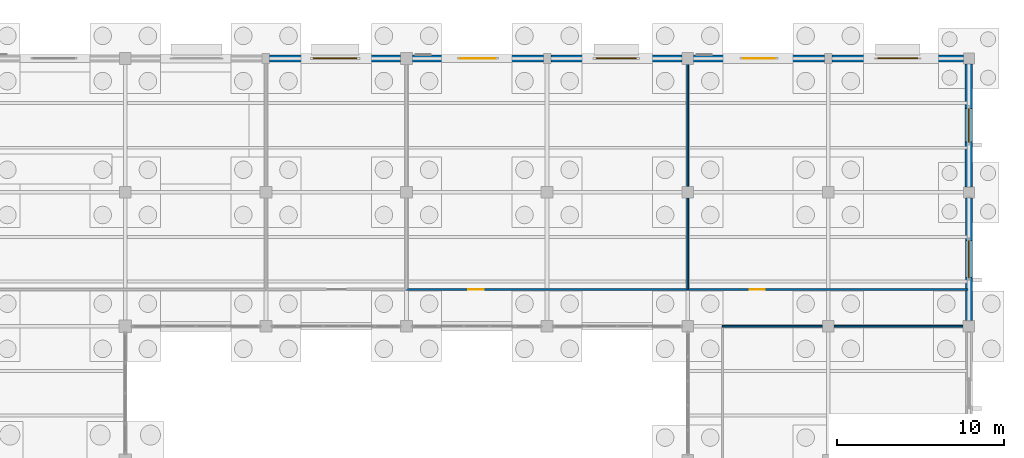
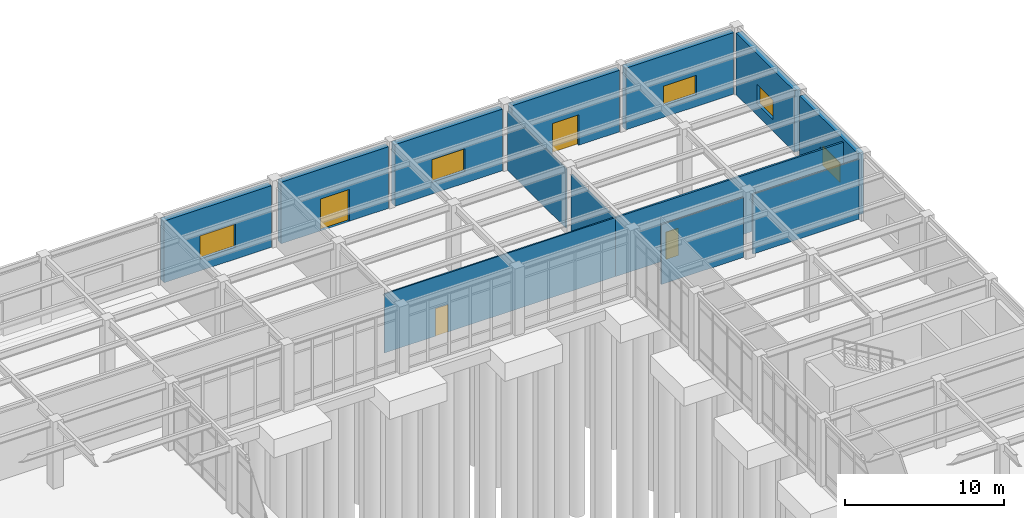
# One storey, part 86 of 138: 13 walls, 5 windows, 4 doors, 9 openings.
"""IFC4 building model written with IfcOpenShell, lengths in metres."""

from ifc_helpers import new_model, si_unit, direction, frame, frame_2d, origin, place, context, subcontext, project, spatial, rectangle, extrude, material, layer, layer_set, type_object, element, fill, save


model = new_model("IFC4")

# Units and contexts
model_context = context("Model", 3, precision=1e-05, world=origin(), true_north=direction((0.0, 1.0)))
body_context = subcontext(model_context, "Body", "Model", "MODEL_VIEW")
ifc_project = project(units=[si_unit("LENGTHUNIT", "METRE"), si_unit("AREAUNIT", "SQUARE_METRE"), si_unit("VOLUMEUNIT", "CUBIC_METRE"), si_unit("PLANEANGLEUNIT", "RADIAN"), si_unit("MASSUNIT", "GRAM", prefix="KILO")], contexts=[model_context])

# Site, building, storey
site_placement = place(None, origin())
site = spatial("IfcSite", under=ifc_project, at=site_placement, CompositionType="ELEMENT")
building_placement = place(site_placement, origin())
building = spatial("IfcBuilding", under=site, at=building_placement, Name="Kranzveld Transit Interchange", CompositionType="ELEMENT")
storey_placement = place(building_placement, origin())
storey = spatial("IfcBuildingStorey", under=building, at=storey_placement, Name="L00", CompositionType="ELEMENT", Elevation=0.0)

# Wall, opening, door
ifc_material_1 = material(Name="Dark Pretoria clinker clay plinth brick, 40 MPa", Category="masonry")
ifc_layer_1 = layer(ifc_material_1, 0.409912109375)
ifc_layer_set_1 = layer_set([ifc_layer_1], Name="Dark Pretoria clinker clay plinth brick, 40 MPa")
wall_type_1 = type_object("IfcWallType", Name="Exterior Arcade Wall Dark Clinker 410", PredefinedType="SOLIDWALL", material=ifc_layer_set_1)
wall_1_placement = place(storey_placement, frame((134.75, 112.0, 0.0), z_axis=(0.0, 0.0, 1.0), x_axis=(1.0, 0.0, 0.0)))
wall_1 = element("IfcWall", 1, at=wall_1_placement, inside=storey, type_object=wall_type_1, Name="L00 Clinker Facade Wall 17/Q-18/Q", PredefinedType="SOLIDWALL", context=body_context, shape_type="SweptSolid", body=[
    extrude(rectangle(XDim=7.824951171875, YDim=0.409912109375, at=frame_2d((3.91259765625, 0.0))), origin(), (0.0, 0.0, 1.0), 4.740478515625),
])
opening_1_placement = place(wall_1_placement, frame((2.862548828125, 0.0, 0.0), z_axis=(0.0, 0.0, 1.0), x_axis=(1.0, 0.0, 0.0)))
opening_1 = element("IfcOpeningElement", 2, at=opening_1_placement, cuts=wall_1, Name="Opening ED-00-08", PredefinedType="OPENING", context=body_context, shape_type="SweptSolid", body=[
    extrude(rectangle(XDim=2.10009765625, YDim=2.449951171875, at=frame_2d((1.050048828125, 1.22509765625))), frame((0.0, 0.21484375, 0.0), z_axis=(0.0, -1.0, 0.0), x_axis=(1.0, 0.0, 0.0)), (0.0, 0.0, 1.0), 0.429931640625),
])
ifc_material_2 = material(Name="Bronze-anodised thermally broken aluminium", Category="aluminium")
door_type_1 = type_object("IfcDoorType", Name="Forecourt Double Entrance Door 2100x2450", OperationType="NOTDEFINED", PredefinedType="DOOR", material=ifc_material_2)
door_1_placement = place(opening_1_placement, origin())
door_1 = element("IfcDoor", 3, at=door_1_placement, inside=storey, type_object=door_type_1, Name="L00 Entrance/Exit Door 17/Q", OperationType="DOUBLE_DOOR_SINGLE_SWING", OverallHeight=2.449951171875, OverallWidth=2.10009765625, PredefinedType="DOOR", context=body_context, shape_type="SweptSolid", body=[
    extrude(rectangle(XDim=2.10009765625, YDim=2.449951171875, at=frame_2d((1.050048828125, 1.22509765625))), frame((0.0, 0.02490234375, 0.0), z_axis=(0.0, -1.0, 0.0), x_axis=(1.0, 0.0, 0.0)), (0.0, 0.0, 1.0), 0.050048828125),
])
fill(opening_1, door_1)

wall_2_placement = place(storey_placement, frame((151.550048828125, 112.0, 0.0), z_axis=(0.0, 0.0, 1.0), x_axis=(1.0, 0.0, 0.0)))
wall_2 = element("IfcWall", 4, at=wall_2_placement, inside=storey, type_object=wall_type_1, Name="L00 Clinker Facade Wall 19/Q-20/Q", PredefinedType="SOLIDWALL", context=body_context, shape_type="SweptSolid", body=[
    extrude(rectangle(XDim=7.824951171875, YDim=0.409912109375, at=frame_2d((3.91259765625, 0.0))), origin(), (0.0, 0.0, 1.0), 4.740478515625),
])
opening_2_placement = place(wall_2_placement, frame((2.96240234375, 0.0, 0.0), z_axis=(0.0, 0.0, 1.0), x_axis=(1.0, 0.0, 0.0)))
opening_2 = element("IfcOpeningElement", 5, at=opening_2_placement, cuts=wall_2, Name="Opening ED-00-09", PredefinedType="OPENING", context=body_context, shape_type="SweptSolid", body=[
    extrude(rectangle(XDim=1.89990234375, YDim=2.35009765625, at=frame_2d((0.949951171875, 1.175048828125))), frame((0.0, 0.21484375, 0.0), z_axis=(0.0, -1.0, 0.0), x_axis=(1.0, 0.0, 0.0)), (0.0, 0.0, 1.0), 0.429931640625),
])
ifc_material_3 = material(Name="Bronze-anodised thermally broken aluminium", Category="aluminium")
door_type_2 = type_object("IfcDoorType", Name="Court Arcade Double Door 1900x2350", OperationType="NOTDEFINED", PredefinedType="DOOR", material=ifc_material_3)
door_2_placement = place(opening_2_placement, origin())
door_2 = element("IfcDoor", 6, at=door_2_placement, inside=storey, type_object=door_type_2, Name="L00 Entrance/Exit Door 19/Q", OperationType="DOUBLE_DOOR_SINGLE_SWING", OverallHeight=2.35009765625, OverallWidth=1.89990234375, PredefinedType="DOOR", context=body_context, shape_type="SweptSolid", body=[
    extrude(rectangle(XDim=1.89990234375, YDim=2.35009765625, at=frame_2d((0.949951171875, 1.175048828125))), frame((0.0, 0.02490234375, 0.0), z_axis=(0.0, -1.0, 0.0), x_axis=(1.0, 0.0, 0.0)), (0.0, 0.0, 1.0), 0.050048828125),
])
fill(opening_2, door_2)

# Wall, opening, window
wall_3_placement = place(storey_placement, frame((168.0, 96.35009765625, 0.0), z_axis=(0.0, 0.0, 1.0), x_axis=(0.0, 1.0, 0.0)))
wall_3 = element("IfcWall", 7, at=wall_3_placement, inside=storey, type_object=wall_type_1, Name="L00 Clinker Facade Wall 21/N-21/P", PredefinedType="SOLIDWALL", context=body_context, shape_type="SweptSolid", body=[
    extrude(rectangle(XDim=7.324951171875, YDim=0.409912109375, at=frame_2d((3.66259765625, 0.0))), origin(), (0.0, 0.0, 1.0), 4.747314453125),
])
opening_3_placement = place(wall_3_placement, frame((2.5625, 0.0, 0.89990234375), z_axis=(0.0, 0.0, 1.0), x_axis=(1.0, 0.0, 0.0)))
opening_3 = element("IfcOpeningElement", 8, at=opening_3_placement, cuts=wall_3, Name="Opening W-09", PredefinedType="OPENING", context=body_context, shape_type="SweptSolid", body=[
    extrude(rectangle(XDim=2.199951171875, YDim=1.5, at=frame_2d((1.10009765625, 0.75))), frame((0.0, 0.21484375, 0.0), z_axis=(0.0, -1.0, 0.0), x_axis=(1.0, 0.0, 0.0)), (0.0, 0.0, 1.0), 0.429931640625),
])
ifc_material_4 = material(Name="Solar-control double glazing", Category="glass")
window_type_1 = type_object("IfcWindowType", Name="Window Office Double 2200x1500", PartitioningType="DOUBLE_PANEL_VERTICAL", PredefinedType="WINDOW", material=ifc_material_4)
window_1_placement = place(opening_3_placement, origin())
window_1 = element("IfcWindow", 9, at=window_1_placement, inside=storey, type_object=window_type_1, Name="L00 Facade Window 21/N", OverallHeight=1.5, OverallWidth=2.199951171875, PartitioningType="DOUBLE_PANEL_VERTICAL", PredefinedType="WINDOW", context=body_context, shape_type="SweptSolid", body=[
    extrude(rectangle(XDim=2.199951171875, YDim=1.5, at=frame_2d((1.10009765625, 0.75))), frame((0.0, 0.030029296875, 0.0), z_axis=(0.0, -1.0, 0.0), x_axis=(1.0, 0.0, 0.0)), (0.0, 0.0, 1.0), 0.06005859375),
])
fill(opening_3, window_1)

ifc_material_5 = material(Name="Dark Pretoria clinker clay plinth brick, 40 MPa", Category="masonry")
ifc_layer_2 = layer(ifc_material_5, 0.43994140625)
ifc_layer_set_2 = layer_set([ifc_layer_2], Name="Dark Pretoria clinker clay plinth brick, 40 MPa")
wall_type_2 = type_object("IfcWallType", Name="Exterior Plinth Wall Dark Clinker 440", PredefinedType="SOLIDWALL", material=ifc_layer_set_2)
wall_4_placement = place(storey_placement, frame((126.22509765625, 112.0, 0.0), z_axis=(0.0, 0.0, 1.0), x_axis=(1.0, 0.0, 0.0)))
wall_4 = element("IfcWall", 10, at=wall_4_placement, inside=storey, type_object=wall_type_2, Name="L00 Clinker Facade Wall 16/Q-17/Q", PredefinedType="SOLIDWALL", context=body_context, shape_type="SweptSolid", body=[
    extrude(rectangle(XDim=7.824951171875, YDim=0.43994140625, at=frame_2d((3.91259765625, 0.0))), origin(), (0.0, 0.0, 1.0), 4.740478515625),
])
opening_4_placement = place(wall_4_placement, frame((2.612548828125, 0.0, 0.89990234375), z_axis=(0.0, 0.0, 1.0), x_axis=(1.0, 0.0, 0.0)))
opening_4 = element("IfcOpeningElement", 11, at=opening_4_placement, cuts=wall_4, Name="Opening W-06", PredefinedType="OPENING", context=body_context, shape_type="SweptSolid", body=[
    extrude(rectangle(XDim=2.60009765625, YDim=1.800048828125, at=frame_2d((1.300048828125, 0.89990234375))), frame((0.0, 0.22998046875, 0.0), z_axis=(0.0, -1.0, 0.0), x_axis=(1.0, 0.0, 0.0)), (0.0, 0.0, 1.0), 0.4599609375),
])
ifc_material_6 = material(Name="Solar-control double glazing", Category="glass")
window_type_2 = type_object("IfcWindowType", Name="Window Civic Double 2600x1800", PartitioningType="DOUBLE_PANEL_VERTICAL", PredefinedType="WINDOW", material=ifc_material_6)
window_2_placement = place(opening_4_placement, origin())
window_2 = element("IfcWindow", 12, at=window_2_placement, inside=storey, type_object=window_type_2, Name="L00 Facade Window 16/Q", OverallHeight=1.800048828125, OverallWidth=2.60009765625, PartitioningType="DOUBLE_PANEL_VERTICAL", PredefinedType="WINDOW", context=body_context, shape_type="SweptSolid", body=[
    extrude(rectangle(XDim=2.60009765625, YDim=1.800048828125, at=frame_2d((1.300048828125, 0.89990234375))), frame((0.0, 0.030029296875, 0.0), z_axis=(0.0, -1.0, 0.0), x_axis=(1.0, 0.0, 0.0)), (0.0, 0.0, 1.0), 0.06005859375),
])
fill(opening_4, window_2)

wall_5_placement = place(storey_placement, frame((143.02490234375, 112.0, 0.0), z_axis=(0.0, 0.0, 1.0), x_axis=(1.0, 0.0, 0.0)))
wall_5 = element("IfcWall", 13, at=wall_5_placement, inside=storey, type_object=wall_type_2, Name="L00 Clinker Facade Wall 18/Q-19/Q", PredefinedType="SOLIDWALL", context=body_context, shape_type="SweptSolid", body=[
    extrude(rectangle(XDim=7.8251953125, YDim=0.43994140625, at=frame_2d((3.91259765625, 0.0))), origin(), (0.0, 0.0, 1.0), 4.740478515625),
])
opening_5_placement = place(wall_5_placement, frame((2.71240234375, 0.0, 0.89990234375), z_axis=(0.0, 0.0, 1.0), x_axis=(1.0, 0.0, 0.0)))
opening_5 = element("IfcOpeningElement", 14, at=opening_5_placement, cuts=wall_5, Name="Opening W-07", PredefinedType="OPENING", context=body_context, shape_type="SweptSolid", body=[
    extrude(rectangle(XDim=2.39990234375, YDim=1.75, at=frame_2d((1.199951171875, 0.875))), frame((0.0, 0.22998046875, 0.0), z_axis=(0.0, -1.0, 0.0), x_axis=(1.0, 0.0, 0.0)), (0.0, 0.0, 1.0), 0.4599609375),
])
ifc_material_7 = material(Name="Solar-control double glazing", Category="glass")
window_type_3 = type_object("IfcWindowType", Name="Window Civic Double 2400x1750", PartitioningType="DOUBLE_PANEL_VERTICAL", PredefinedType="WINDOW", material=ifc_material_7)
window_3_placement = place(opening_5_placement, origin())
window_3 = element("IfcWindow", 15, at=window_3_placement, inside=storey, type_object=window_type_3, Name="L00 Facade Window 18/Q", OverallHeight=1.75, OverallWidth=2.39990234375, PartitioningType="DOUBLE_PANEL_VERTICAL", PredefinedType="WINDOW", context=body_context, shape_type="SweptSolid", body=[
    extrude(rectangle(XDim=2.39990234375, YDim=1.75, at=frame_2d((1.199951171875, 0.875))), frame((0.0, 0.030029296875, 0.0), z_axis=(0.0, -1.0, 0.0), x_axis=(1.0, 0.0, 0.0)), (0.0, 0.0, 1.0), 0.06005859375),
])
fill(opening_5, window_3)

wall_6_placement = place(storey_placement, frame((159.824951171875, 112.0, 0.0), z_axis=(0.0, 0.0, 1.0), x_axis=(1.0, 0.0, 0.0)))
wall_6 = element("IfcWall", 16, at=wall_6_placement, inside=storey, type_object=wall_type_2, Name="L00 Clinker Facade Wall 20/Q-21/Q", PredefinedType="SOLIDWALL", context=body_context, shape_type="SweptSolid", body=[
    extrude(rectangle(XDim=7.85009765625, YDim=0.43994140625, at=frame_2d((3.925048828125, 0.0))), origin(), (0.0, 0.0, 1.0), 4.740478515625),
])
opening_6_placement = place(wall_6_placement, frame((2.72509765625, 0.0, 0.89990234375), z_axis=(0.0, 0.0, 1.0), x_axis=(1.0, 0.0, 0.0)))
opening_6 = element("IfcOpeningElement", 17, at=opening_6_placement, cuts=wall_6, Name="Opening W-08", PredefinedType="OPENING", context=body_context, shape_type="SweptSolid", body=[
    extrude(rectangle(XDim=2.39990234375, YDim=1.5, at=frame_2d((1.199951171875, 0.75))), frame((0.0, 0.22998046875, 0.0), z_axis=(0.0, -1.0, 0.0), x_axis=(1.0, 0.0, 0.0)), (0.0, 0.0, 1.0), 0.4599609375),
])
ifc_material_8 = material(Name="Solar-control double glazing", Category="glass")
window_type_4 = type_object("IfcWindowType", Name="Window Civic Double 2400x1500", PartitioningType="DOUBLE_PANEL_VERTICAL", PredefinedType="WINDOW", material=ifc_material_8)
window_4_placement = place(opening_6_placement, origin())
window_4 = element("IfcWindow", 18, at=window_4_placement, inside=storey, type_object=window_type_4, Name="L00 Facade Window 20/Q", OverallHeight=1.5, OverallWidth=2.39990234375, PartitioningType="DOUBLE_PANEL_VERTICAL", PredefinedType="WINDOW", context=body_context, shape_type="SweptSolid", body=[
    extrude(rectangle(XDim=2.39990234375, YDim=1.5, at=frame_2d((1.199951171875, 0.75))), frame((0.0, 0.030029296875, 0.0), z_axis=(0.0, -1.0, 0.0), x_axis=(1.0, 0.0, 0.0)), (0.0, 0.0, 1.0), 0.06005859375),
])
fill(opening_6, window_4)

wall_7_placement = place(storey_placement, frame((168.0, 104.324951171875, 0.0), z_axis=(0.0, 0.0, 1.0), x_axis=(0.0, 1.0, 0.0)))
wall_7 = element("IfcWall", 19, at=wall_7_placement, inside=storey, type_object=wall_type_2, Name="L00 Clinker Facade Wall 21/P-21/Q", PredefinedType="SOLIDWALL", context=body_context, shape_type="SweptSolid", body=[
    extrude(rectangle(XDim=7.35009765625, YDim=0.43994140625, at=frame_2d((3.675048828125, 0.0))), origin(), (0.0, 0.0, 1.0), 4.747314453125),
])
opening_7_placement = place(wall_7_placement, frame((2.675048828125, 0.0, 0.89990234375), z_axis=(0.0, 0.0, 1.0), x_axis=(1.0, 0.0, 0.0)))
opening_7 = element("IfcOpeningElement", 20, at=opening_7_placement, cuts=wall_7, Name="Opening W-10", PredefinedType="OPENING", context=body_context, shape_type="SweptSolid", body=[
    extrude(rectangle(XDim=2.0, YDim=1.5, at=frame_2d((1.0, 0.75))), frame((0.0, 0.22998046875, 0.0), z_axis=(0.0, -1.0, 0.0), x_axis=(1.0, 0.0, 0.0)), (0.0, 0.0, 1.0), 0.4599609375),
])
ifc_material_9 = material(Name="Solar-control double glazing", Category="glass")
window_type_5 = type_object("IfcWindowType", Name="Window Office Double 2000x1500", PartitioningType="DOUBLE_PANEL_VERTICAL", PredefinedType="WINDOW", material=ifc_material_9)
window_5_placement = place(opening_7_placement, origin())
window_5 = element("IfcWindow", 21, at=window_5_placement, inside=storey, type_object=window_type_5, Name="L00 Facade Window 21/P", OverallHeight=1.5, OverallWidth=2.0, PartitioningType="DOUBLE_PANEL_VERTICAL", PredefinedType="WINDOW", context=body_context, shape_type="SweptSolid", body=[
    extrude(rectangle(XDim=2.0, YDim=1.5, at=frame_2d((1.0, 0.75))), frame((0.0, 0.030029296875, 0.0), z_axis=(0.0, -1.0, 0.0), x_axis=(1.0, 0.0, 0.0)), (0.0, 0.0, 1.0), 0.06005859375),
])
fill(opening_7, window_5)

# Walls
ifc_material_10 = material(Name="Clay masonry unit wall, 20 MPa", Category="masonry")
ifc_layer_3 = layer(ifc_material_10, 0.114990234375)
ifc_layer_set_3 = layer_set([ifc_layer_3], Name="Clay masonry unit wall, 20 MPa")
wall_type_3 = type_object("IfcWallType", Name="Internal Masonry Partition 115", PredefinedType="PARTITIONING", material=ifc_layer_set_3)
wall_8_placement = place(storey_placement, frame((153.280029296875, 96.0, 0.0), z_axis=(0.0, 0.0, 1.0), x_axis=(1.0, 0.0, 0.0)))
element("IfcWall", 22, at=wall_8_placement, inside=storey, type_object=wall_type_3, Name="L00 Partition IW-L00-L00V4E-N-049-0", PredefinedType="PARTITIONING", context=body_context, shape_type="SweptSolid", body=[
    extrude(rectangle(XDim=5.97998046875, YDim=0.114990234375, at=frame_2d((2.989990234375, 0.0))), origin(), (0.0, 0.0, 1.0), 4.60546875),
])
wall_9_placement = place(storey_placement, frame((159.93994140625, 96.0, 0.0), z_axis=(0.0, 0.0, 1.0), x_axis=(1.0, 0.0, 0.0)))
element("IfcWall", 23, at=wall_9_placement, inside=storey, type_object=wall_type_3, Name="L00 Partition IW-L00-L00V4E-N-049-1", PredefinedType="PARTITIONING", context=body_context, shape_type="SweptSolid", body=[
    extrude(rectangle(XDim=7.719970703125, YDim=0.114990234375, at=frame_2d((3.85986328125, 0.0))), origin(), (0.0, 0.0, 1.0), 4.60546875),
])

# Wall, opening, door
ifc_material_11 = material(Name="Clay masonry unit wall, 20 MPa", Category="masonry")
ifc_layer_4 = layer(ifc_material_11, 0.10009765625)
ifc_layer_set_4 = layer_set([ifc_layer_4], Name="Clay masonry unit wall, 20 MPa")
wall_type_4 = type_object("IfcWallType", Name="Lightweight Drywall Partition 100", PredefinedType="PARTITIONING", material=ifc_layer_set_4)
wall_10_placement = place(storey_placement, frame((134.39990234375, 98.199951171875, 0.0), z_axis=(0.0, 0.0, 1.0), x_axis=(1.0, 0.0, 0.0)))
wall_10 = element("IfcWall", 24, at=wall_10_placement, inside=storey, type_object=wall_type_4, Name="L00 Partition IW-L00-L00V4N-FRT-025-0", PredefinedType="PARTITIONING", context=body_context, shape_type="SweptSolid", body=[
    extrude(rectangle(XDim=16.800048828125, YDim=0.10009765625, at=frame_2d((8.39990234375, 0.0))), origin(), (0.0, 0.0, 1.0), 4.54248046875),
])
opening_8_placement = place(wall_10_placement, frame((3.699951171875, 0.0, 0.0), z_axis=(0.0, 0.0, 1.0), x_axis=(1.0, 0.0, 0.0)))
opening_8 = element("IfcOpeningElement", 25, at=opening_8_placement, cuts=wall_10, Name="Opening D-025", PredefinedType="OPENING", context=body_context, shape_type="SweptSolid", body=[
    extrude(rectangle(XDim=0.919921875, YDim=2.1201171875, at=frame_2d((0.4599609375, 1.06005859375))), frame((0.0, 0.06005859375, 0.0), z_axis=(0.0, -1.0, 0.0), x_axis=(1.0, 0.0, 0.0)), (0.0, 0.0, 1.0), 0.1201171875),
])
ifc_material_12 = material(Name="Bronze-anodised thermally broken aluminium", Category="aluminium")
door_type_3 = type_object("IfcDoorType", Name="Consulting Room Door 920x2120", OperationType="NOTDEFINED", PredefinedType="DOOR", material=ifc_material_12)
door_3_placement = place(opening_8_placement, origin())
door_3 = element("IfcDoor", 26, at=door_3_placement, inside=storey, type_object=door_type_3, Name="L00 Interior Door D-025", OperationType="SINGLE_SWING_LEFT", OverallHeight=2.1201171875, OverallWidth=0.919921875, PredefinedType="DOOR", context=body_context, shape_type="SweptSolid", body=[
    extrude(rectangle(XDim=0.919921875, YDim=2.1201171875, at=frame_2d((0.4599609375, 1.06005859375))), frame((0.0, 0.02490234375, 0.0), z_axis=(0.0, -1.0, 0.0), x_axis=(1.0, 0.0, 0.0)), (0.0, 0.0, 1.0), 0.050048828125),
])
fill(opening_8, door_3)

# Walls
wall_11_placement = place(storey_placement, frame((151.199951171875, 98.199951171875, 0.0), z_axis=(0.0, 0.0, 1.0), x_axis=(0.0, 1.0, 0.0)))
element("IfcWall", 27, at=wall_11_placement, inside=storey, type_object=wall_type_4, Name="L00 Partition IW-L00-L00V4N-E-025-0", PredefinedType="PARTITIONING", context=body_context, shape_type="SweptSolid", body=[
    extrude(rectangle(XDim=5.4599609375, YDim=0.10009765625, at=frame_2d((2.72998046875, 0.0))), origin(), (0.0, 0.0, 1.0), 4.54248046875),
])
wall_12_placement = place(storey_placement, frame((151.199951171875, 104.340087890625, 0.0), z_axis=(0.0, 0.0, 1.0), x_axis=(0.0, 1.0, 0.0)))
element("IfcWall", 28, at=wall_12_placement, inside=storey, type_object=wall_type_4, Name="L00 Partition IW-L00-L00V4N-E-025-1", PredefinedType="PARTITIONING", context=body_context, shape_type="SweptSolid", body=[
    extrude(rectangle(XDim=7.31982421875, YDim=0.10009765625, at=frame_2d((3.659912109375, 0.0))), origin(), (0.0, 0.0, 1.0), 4.54248046875),
])

# Wall, opening, door
ifc_material_13 = material(Name="Clay masonry unit wall, 20 MPa", Category="masonry")
ifc_layer_5 = layer(ifc_material_13, 0.135009765625)
ifc_layer_set_5 = layer_set([ifc_layer_5], Name="Clay masonry unit wall, 20 MPa")
wall_type_5 = type_object("IfcWallType", Name="Medium Blockwork Partition 135", PredefinedType="PARTITIONING", material=ifc_layer_set_5)
wall_13_placement = place(storey_placement, frame((151.199951171875, 98.199951171875, 0.0), z_axis=(0.0, 0.0, 1.0), x_axis=(1.0, 0.0, 0.0)))
wall_13 = element("IfcWall", 29, at=wall_13_placement, inside=storey, type_object=wall_type_5, Name="L00 Partition IW-L00-L00V4N-FRT-026-0", PredefinedType="PARTITIONING", context=body_context, shape_type="SweptSolid", body=[
    extrude(rectangle(XDim=16.760009765625, YDim=0.135009765625, at=frame_2d((8.3798828125, 0.0))), origin(), (0.0, 0.0, 1.0), 4.54248046875),
])
opening_9_placement = place(wall_13_placement, frame((3.699951171875, 0.0, 0.0), z_axis=(0.0, 0.0, 1.0), x_axis=(1.0, 0.0, 0.0)))
opening_9 = element("IfcOpeningElement", 30, at=opening_9_placement, cuts=wall_13, Name="Opening D-026", PredefinedType="OPENING", context=body_context, shape_type="SweptSolid", body=[
    extrude(rectangle(XDim=0.89990234375, YDim=2.10009765625, at=frame_2d((0.449951171875, 1.050048828125))), frame((0.0, 0.077392578125, 0.0), z_axis=(0.0, -1.0, 0.0), x_axis=(1.0, 0.0, 0.0)), (0.0, 0.0, 1.0), 0.155029296875),
])
ifc_material_14 = material(Name="Bronze-anodised thermally broken aluminium", Category="aluminium")
door_type_4 = type_object("IfcDoorType", Name="Staff Office Door 900x2100", OperationType="NOTDEFINED", PredefinedType="DOOR", material=ifc_material_14)
door_4_placement = place(opening_9_placement, origin())
door_4 = element("IfcDoor", 31, at=door_4_placement, inside=storey, type_object=door_type_4, Name="L00 Interior Door D-026", OperationType="SINGLE_SWING_RIGHT", OverallHeight=2.10009765625, OverallWidth=0.89990234375, PredefinedType="DOOR", context=body_context, shape_type="SweptSolid", body=[
    extrude(rectangle(XDim=0.89990234375, YDim=2.10009765625, at=frame_2d((0.449951171875, 1.050048828125))), frame((0.0, 0.02490234375, 0.0), z_axis=(0.0, -1.0, 0.0), x_axis=(1.0, 0.0, 0.0)), (0.0, 0.0, 1.0), 0.050048828125),
])
fill(opening_9, door_4)

save(model, "model.ifc")
